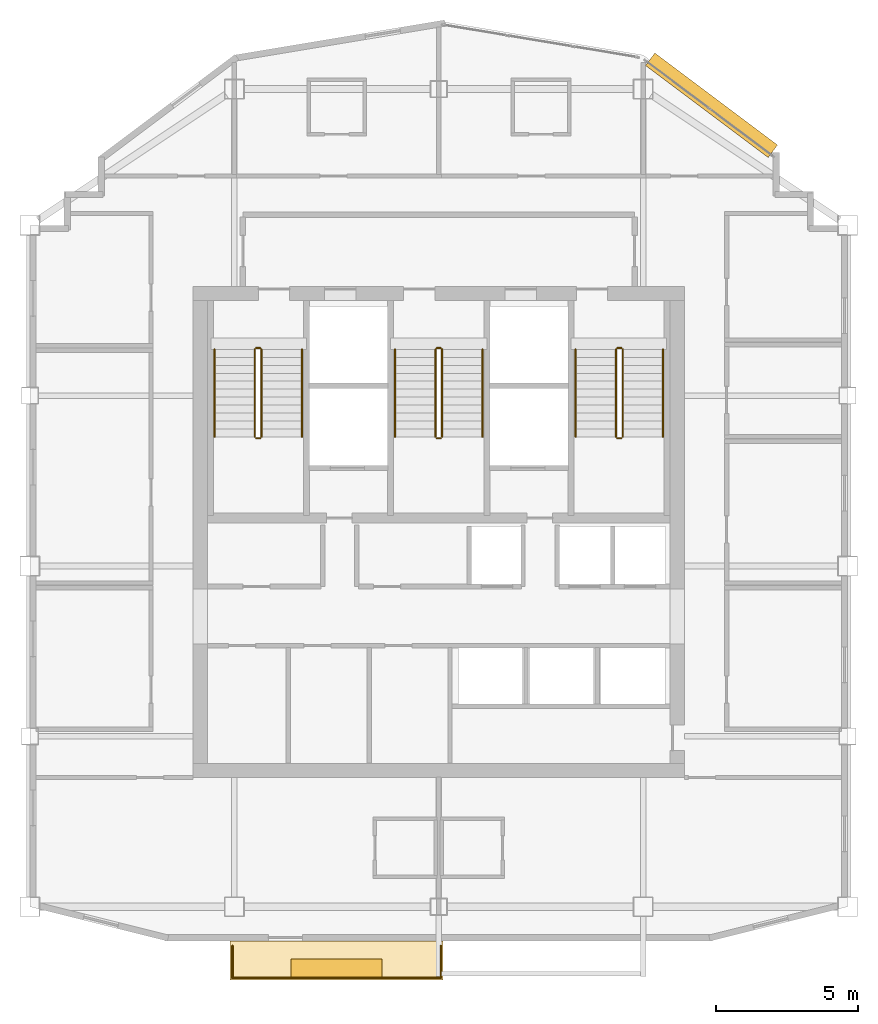
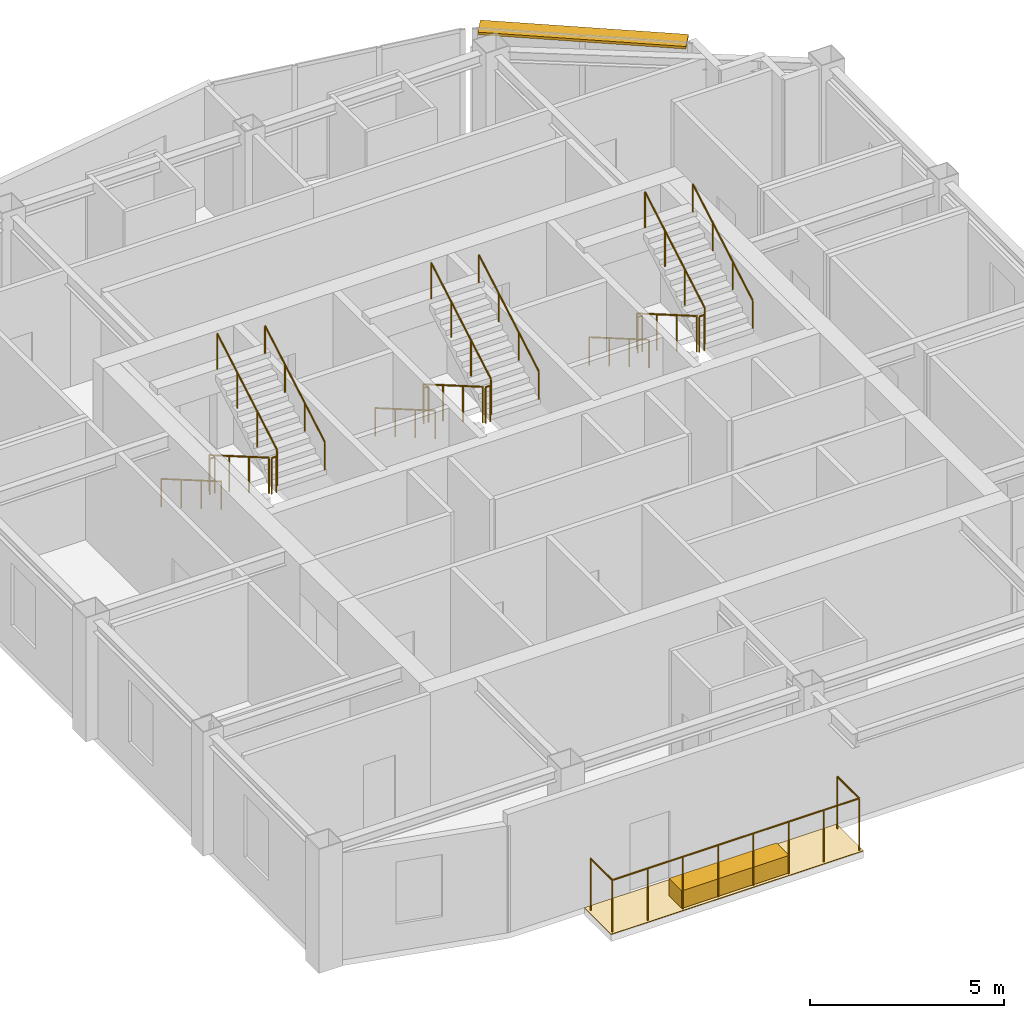
# One storey, part 9 of 9: 20 railings, 2 coverings, 1 shading device.
"""IFC4 building model written with IfcOpenShell, lengths in metres."""

from ifc_helpers import new_model, si_unit, direction, frame, origin, origin_2d, place, context, subcontext, project, spatial, polyline, rectangle, circle, outline, extrude, material, layer, layer_set, type_object, element, save


model = new_model("IFC4")

# Units and contexts
model_context = context("Model", 3, precision=1e-05, world=origin(), true_north=direction((0.0, 1.0)))
body_context = subcontext(model_context, "Body", "Model", "MODEL_VIEW")
ifc_project = project(units=[si_unit("LENGTHUNIT", "METRE"), si_unit("AREAUNIT", "SQUARE_METRE"), si_unit("VOLUMEUNIT", "CUBIC_METRE"), si_unit("PLANEANGLEUNIT", "RADIAN"), si_unit("MASSUNIT", "GRAM", prefix="KILO")], contexts=[model_context])

# Site, building, storey
site_placement = place(None, origin())
site = spatial("IfcSite", under=ifc_project, at=site_placement, CompositionType="ELEMENT")
building_placement = place(site_placement, origin())
building = spatial("IfcBuilding", under=site, at=building_placement, Name="Haolan Belvedere Tower", CompositionType="ELEMENT")
storey_placement = place(building_placement, frame((0.0, 0.0, 290.0)))
storey = spatial("IfcBuildingStorey", under=building, at=storey_placement, Name="L73", CompositionType="ELEMENT", Elevation=290.0)

# Coverings
ifc_material_1 = material(Name="Engineered lightweight planted garden soil substrate", Category="masonry")
ifc_layer_1 = layer(ifc_material_1, 0.550048828125, Name="Engineered lightweight planted garden soil substrate")
ifc_layer_set_1 = layer_set([ifc_layer_1], Name="Engineered lightweight planted garden soil substrate")
covering_type_1 = type_object("IfcCoveringType", Name="COV-PLANT-550", PredefinedType="MEMBRANE", material=ifc_layer_set_1)
covering_1_placement = place(storey_placement, frame((34.800048828125, 19.43994140625, 0.0), z_axis=(0.0, 0.0, 1.0), x_axis=(1.0, 0.0, 0.0)))
element("IfcCovering", 1, at=covering_1_placement, inside=storey, type_object=covering_type_1, Name="L73 structural tree balcony PLANTER box 1", PredefinedType="MEMBRANE", context=body_context, shape_type="SweptSolid", body=[
    extrude(rectangle(XDim=3.199951171875, YDim=0.64990234375, at=origin_2d()), origin(), (0.0, 0.0, 1.0), 0.550048828125),
])
ifc_material_2 = material(Name="Elastomeric waterproof roofing membrane and stone pavers", Category="masonry")
ifc_layer_2 = layer(ifc_material_2, 0.02001953125, Name="Elastomeric waterproof roofing membrane and stone pavers")
ifc_layer_set_2 = layer_set([ifc_layer_2], Name="Elastomeric waterproof roofing membrane and stone pavers")
covering_type_2 = type_object("IfcCoveringType", Name="COV-ROOF-20", PredefinedType="ROOFING", material=ifc_layer_set_2)
covering_2_placement = place(storey_placement, frame((0.0, 0.0, -0.02001953125)))
element("IfcCovering", 2, at=covering_2_placement, inside=storey, type_object=covering_type_2, Name="L73 tree-balcony waterproof membrane 1", PredefinedType="ROOFING", context=body_context, shape_type="SweptSolid", body=[
    extrude(outline(polyline([(31.050048828125, 19.02001953125), (38.550048828125, 19.02001953125), (38.550048828125, 20.39990234375), (31.050048828125, 20.39990234375), (31.050048828125, 19.02001953125)])), origin(), (0.0, 0.0, 1.0), 0.02001953125),
])

# Railings
ifc_material_3 = material(Name="Brushed stainless steel 304", Category="steel")
railing_type_1 = type_object("IfcRailingType", Name="RL-STAIR-GRD-1150", PredefinedType="GUARDRAIL", material=ifc_material_3)
railing_1_placement = place(storey_placement, frame((31.919921875, 41.22998046875, 0.16259765625)))
element("IfcRailing", 3, at=railing_1_placement, inside=storey, type_object=railing_type_1, Name="L73 ST1 stair guard 1", PredefinedType="GUARDRAIL", context=body_context, shape_type="SweptSolid", body=[
    extrude(circle(Radius=0.02392578125, at=origin_2d()), frame((0.0, 0.0, 1.1259765625), z_axis=(0.0, -0.864920483161, 0.501908913857), x_axis=(1.0, 0.0, 0.0)), (0.0, 0.0, 1.0), 3.56103515625),
    extrude(circle(Radius=0.02099609375, at=origin_2d()), origin(), (0.0, 0.0, 1.0), 1.101806640625),
    extrude(circle(Radius=0.02099609375, at=origin_2d()), frame((0.0, -1.026611328125, 0.595703125)), (0.0, 0.0, 1.0), 1.101806640625),
    extrude(circle(Radius=0.02099609375, at=origin_2d()), frame((0.0, -2.053466796875, 1.191650390625)), (0.0, 0.0, 1.0), 1.101806640625),
    extrude(circle(Radius=0.02099609375, at=origin_2d()), frame((0.0, -3.080078125, 1.787353515625)), (0.0, 0.0, 1.0), 1.101806640625),
])
railing_2_placement = place(storey_placement, frame((31.969970703125, 38.10009765625, 1.949951171875)))
element("IfcRailing", 4, at=railing_2_placement, inside=storey, type_object=railing_type_1, Name="L73 ST1 stair guard 2", PredefinedType="GUARDRAIL", context=body_context, shape_type="SweptSolid", body=[
    extrude(circle(Radius=0.02392578125, at=origin_2d()), frame((0.0, 0.0, 1.1259765625), z_axis=(1.0, 0.0, 0.0), x_axis=(0.0, 1.0, 0.0)), (0.0, 0.0, 1.0), 0.14013671875),
    extrude(circle(Radius=0.02099609375, at=origin_2d()), origin(), (0.0, 0.0, 1.0), 1.101806640625),
    extrude(circle(Radius=0.02099609375, at=origin_2d()), frame((0.14013671875, 0.0, 0.0)), (0.0, 0.0, 1.0), 1.101806640625),
])
railing_3_placement = place(storey_placement, frame((32.159912109375, 38.14990234375, 2.112548828125)))
element("IfcRailing", 5, at=railing_3_placement, inside=storey, type_object=railing_type_1, Name="L73 ST1 stair guard 3", PredefinedType="GUARDRAIL", context=body_context, shape_type="SweptSolid", body=[
    extrude(circle(Radius=0.02392578125, at=origin_2d()), frame((0.0, 0.0, 1.1259765625), z_axis=(0.0, 0.864920483161, 0.501908913857), x_axis=(-1.0, 0.0, 0.0)), (0.0, 0.0, 1.0), 3.56103515625),
    extrude(circle(Radius=0.02099609375, at=origin_2d()), origin(), (0.0, 0.0, 1.0), 1.101806640625),
    extrude(circle(Radius=0.02099609375, at=origin_2d()), frame((0.0, 1.026611328125, 0.595703125)), (0.0, 0.0, 1.0), 1.101806640625),
    extrude(circle(Radius=0.02099609375, at=origin_2d()), frame((0.0, 2.053466796875, 1.191650390625)), (0.0, 0.0, 1.0), 1.101806640625),
    extrude(circle(Radius=0.02099609375, at=origin_2d()), frame((0.0, 3.080078125, 1.787353515625)), (0.0, 0.0, 1.0), 1.101806640625),
])
railing_4_placement = place(storey_placement, frame((31.969970703125, 41.280029296875, 0.0)))
element("IfcRailing", 6, at=railing_4_placement, inside=storey, type_object=railing_type_1, Name="L73 ST1 stair guard 4", PredefinedType="GUARDRAIL", context=body_context, shape_type="SweptSolid", body=[
    extrude(circle(Radius=0.02392578125, at=origin_2d()), frame((0.0, 0.0, 1.1259765625), z_axis=(1.0, 0.0, 0.0), x_axis=(0.0, 1.0, 0.0)), (0.0, 0.0, 1.0), 0.14013671875),
    extrude(circle(Radius=0.02099609375, at=origin_2d()), origin(), (0.0, 0.0, 1.0), 1.101806640625),
    extrude(circle(Radius=0.02099609375, at=origin_2d()), frame((0.14013671875, 0.0, 0.0)), (0.0, 0.0, 1.0), 1.101806640625),
])
railing_5_placement = place(storey_placement, frame((38.280029296875, 41.22998046875, 0.16259765625)))
element("IfcRailing", 7, at=railing_5_placement, inside=storey, type_object=railing_type_1, Name="L73 ST3 stair guard 1", PredefinedType="GUARDRAIL", context=body_context, shape_type="SweptSolid", body=[
    extrude(circle(Radius=0.02392578125, at=origin_2d()), frame((0.0, 0.0, 1.1259765625), z_axis=(0.0, -0.864920483161, 0.501908913857), x_axis=(1.0, 0.0, 0.0)), (0.0, 0.0, 1.0), 3.56103515625),
    extrude(circle(Radius=0.02099609375, at=origin_2d()), origin(), (0.0, 0.0, 1.0), 1.101806640625),
    extrude(circle(Radius=0.02099609375, at=origin_2d()), frame((0.0, -1.026611328125, 0.595703125)), (0.0, 0.0, 1.0), 1.101806640625),
    extrude(circle(Radius=0.02099609375, at=origin_2d()), frame((0.0, -2.053466796875, 1.191650390625)), (0.0, 0.0, 1.0), 1.101806640625),
    extrude(circle(Radius=0.02099609375, at=origin_2d()), frame((0.0, -3.080078125, 1.787353515625)), (0.0, 0.0, 1.0), 1.101806640625),
])
railing_6_placement = place(storey_placement, frame((38.330078125, 38.10009765625, 1.949951171875)))
element("IfcRailing", 8, at=railing_6_placement, inside=storey, type_object=railing_type_1, Name="L73 ST3 stair guard 2", PredefinedType="GUARDRAIL", context=body_context, shape_type="SweptSolid", body=[
    extrude(circle(Radius=0.02392578125, at=origin_2d()), frame((0.0, 0.0, 1.1259765625), z_axis=(1.0, 0.0, 0.0), x_axis=(0.0, 1.0, 0.0)), (0.0, 0.0, 1.0), 0.139892578125),
    extrude(circle(Radius=0.02099609375, at=origin_2d()), origin(), (0.0, 0.0, 1.0), 1.101806640625),
    extrude(circle(Radius=0.02099609375, at=origin_2d()), frame((0.139892578125, 0.0, 0.0)), (0.0, 0.0, 1.0), 1.101806640625),
])
railing_7_placement = place(storey_placement, frame((38.52001953125, 38.14990234375, 2.112548828125)))
element("IfcRailing", 9, at=railing_7_placement, inside=storey, type_object=railing_type_1, Name="L73 ST3 stair guard 3", PredefinedType="GUARDRAIL", context=body_context, shape_type="SweptSolid", body=[
    extrude(circle(Radius=0.02392578125, at=origin_2d()), frame((0.0, 0.0, 1.1259765625), z_axis=(0.0, 0.864920483161, 0.501908913857), x_axis=(-1.0, 0.0, 0.0)), (0.0, 0.0, 1.0), 3.56103515625),
    extrude(circle(Radius=0.02099609375, at=origin_2d()), origin(), (0.0, 0.0, 1.0), 1.101806640625),
    extrude(circle(Radius=0.02099609375, at=origin_2d()), frame((0.0, 1.026611328125, 0.595703125)), (0.0, 0.0, 1.0), 1.101806640625),
    extrude(circle(Radius=0.02099609375, at=origin_2d()), frame((0.0, 2.053466796875, 1.191650390625)), (0.0, 0.0, 1.0), 1.101806640625),
    extrude(circle(Radius=0.02099609375, at=origin_2d()), frame((0.0, 3.080078125, 1.787353515625)), (0.0, 0.0, 1.0), 1.101806640625),
])
railing_8_placement = place(storey_placement, frame((38.330078125, 41.280029296875, 0.0)))
element("IfcRailing", 10, at=railing_8_placement, inside=storey, type_object=railing_type_1, Name="L73 ST3 stair guard 4", PredefinedType="GUARDRAIL", context=body_context, shape_type="SweptSolid", body=[
    extrude(circle(Radius=0.02392578125, at=origin_2d()), frame((0.0, 0.0, 1.1259765625), z_axis=(1.0, 0.0, 0.0), x_axis=(0.0, 1.0, 0.0)), (0.0, 0.0, 1.0), 0.139892578125),
    extrude(circle(Radius=0.02099609375, at=origin_2d()), origin(), (0.0, 0.0, 1.0), 1.101806640625),
    extrude(circle(Radius=0.02099609375, at=origin_2d()), frame((0.139892578125, 0.0, 0.0)), (0.0, 0.0, 1.0), 1.101806640625),
])
railing_9_placement = place(storey_placement, frame((44.639892578125, 41.22998046875, 0.16259765625)))
element("IfcRailing", 11, at=railing_9_placement, inside=storey, type_object=railing_type_1, Name="L73 ST2 stair guard 1", PredefinedType="GUARDRAIL", context=body_context, shape_type="SweptSolid", body=[
    extrude(circle(Radius=0.02392578125, at=origin_2d()), frame((0.0, 0.0, 1.1259765625), z_axis=(0.0, -0.864920483161, 0.501908913857), x_axis=(1.0, 0.0, 0.0)), (0.0, 0.0, 1.0), 3.56103515625),
    extrude(circle(Radius=0.02099609375, at=origin_2d()), origin(), (0.0, 0.0, 1.0), 1.101806640625),
    extrude(circle(Radius=0.02099609375, at=origin_2d()), frame((0.0, -1.026611328125, 0.595703125)), (0.0, 0.0, 1.0), 1.101806640625),
    extrude(circle(Radius=0.02099609375, at=origin_2d()), frame((0.0, -2.053466796875, 1.191650390625)), (0.0, 0.0, 1.0), 1.101806640625),
    extrude(circle(Radius=0.02099609375, at=origin_2d()), frame((0.0, -3.080078125, 1.787353515625)), (0.0, 0.0, 1.0), 1.101806640625),
])
railing_10_placement = place(storey_placement, frame((44.68994140625, 38.10009765625, 1.949951171875)))
element("IfcRailing", 12, at=railing_10_placement, inside=storey, type_object=railing_type_1, Name="L73 ST2 stair guard 2", PredefinedType="GUARDRAIL", context=body_context, shape_type="SweptSolid", body=[
    extrude(circle(Radius=0.02392578125, at=origin_2d()), frame((0.0, 0.0, 1.1259765625), z_axis=(1.0, 0.0, 0.0), x_axis=(0.0, 1.0, 0.0)), (0.0, 0.0, 1.0), 0.14013671875),
    extrude(circle(Radius=0.02099609375, at=origin_2d()), origin(), (0.0, 0.0, 1.0), 1.101806640625),
    extrude(circle(Radius=0.02099609375, at=origin_2d()), frame((0.14013671875, 0.0, 0.0)), (0.0, 0.0, 1.0), 1.101806640625),
])
railing_11_placement = place(storey_placement, frame((44.8798828125, 38.14990234375, 2.112548828125)))
element("IfcRailing", 13, at=railing_11_placement, inside=storey, type_object=railing_type_1, Name="L73 ST2 stair guard 3", PredefinedType="GUARDRAIL", context=body_context, shape_type="SweptSolid", body=[
    extrude(circle(Radius=0.02392578125, at=origin_2d()), frame((0.0, 0.0, 1.1259765625), z_axis=(0.0, 0.864920483161, 0.501908913857), x_axis=(-1.0, 0.0, 0.0)), (0.0, 0.0, 1.0), 3.56103515625),
    extrude(circle(Radius=0.02099609375, at=origin_2d()), origin(), (0.0, 0.0, 1.0), 1.101806640625),
    extrude(circle(Radius=0.02099609375, at=origin_2d()), frame((0.0, 1.026611328125, 0.595703125)), (0.0, 0.0, 1.0), 1.101806640625),
    extrude(circle(Radius=0.02099609375, at=origin_2d()), frame((0.0, 2.053466796875, 1.191650390625)), (0.0, 0.0, 1.0), 1.101806640625),
    extrude(circle(Radius=0.02099609375, at=origin_2d()), frame((0.0, 3.080078125, 1.787353515625)), (0.0, 0.0, 1.0), 1.101806640625),
])
railing_12_placement = place(storey_placement, frame((44.68994140625, 41.280029296875, 0.0)))
element("IfcRailing", 14, at=railing_12_placement, inside=storey, type_object=railing_type_1, Name="L73 ST2 stair guard 4", PredefinedType="GUARDRAIL", context=body_context, shape_type="SweptSolid", body=[
    extrude(circle(Radius=0.02392578125, at=origin_2d()), frame((0.0, 0.0, 1.1259765625), z_axis=(1.0, 0.0, 0.0), x_axis=(0.0, 1.0, 0.0)), (0.0, 0.0, 1.0), 0.14013671875),
    extrude(circle(Radius=0.02099609375, at=origin_2d()), origin(), (0.0, 0.0, 1.0), 1.101806640625),
    extrude(circle(Radius=0.02099609375, at=origin_2d()), frame((0.14013671875, 0.0, 0.0)), (0.0, 0.0, 1.0), 1.101806640625),
])
railing_type_2 = type_object("IfcRailingType", Name="RL-STAIR-HND-900", PredefinedType="HANDRAIL", material=ifc_material_3)
railing_13_placement = place(storey_placement, frame((30.5, 41.22998046875, 0.16259765625)))
element("IfcRailing", 15, at=railing_13_placement, inside=storey, type_object=railing_type_2, Name="L73 ST1 stair handrail 1", PredefinedType="HANDRAIL", context=body_context, shape_type="SweptSolid", body=[
    extrude(circle(Radius=0.02392578125, at=origin_2d()), frame((0.0, 0.0, 0.8759765625), z_axis=(0.0, -0.864920483161, 0.501908913857), x_axis=(1.0, 0.0, 0.0)), (0.0, 0.0, 1.0), 3.56103515625),
    extrude(circle(Radius=0.02099609375, at=origin_2d()), origin(), (0.0, 0.0, 1.0), 0.851806640625),
    extrude(circle(Radius=0.02099609375, at=origin_2d()), frame((0.0, -1.026611328125, 0.595703125)), (0.0, 0.0, 1.0), 0.851806640625),
    extrude(circle(Radius=0.02099609375, at=origin_2d()), frame((0.0, -2.053466796875, 1.191650390625)), (0.0, 0.0, 1.0), 0.851806640625),
    extrude(circle(Radius=0.02099609375, at=origin_2d()), frame((0.0, -3.080078125, 1.787353515625)), (0.0, 0.0, 1.0), 0.851806640625),
])
railing_14_placement = place(storey_placement, frame((33.580078125, 38.14990234375, 2.112548828125)))
element("IfcRailing", 16, at=railing_14_placement, inside=storey, type_object=railing_type_2, Name="L73 ST1 stair handrail 2", PredefinedType="HANDRAIL", context=body_context, shape_type="SweptSolid", body=[
    extrude(circle(Radius=0.02392578125, at=origin_2d()), frame((0.0, 0.0, 0.8759765625), z_axis=(0.0, 0.864920483161, 0.501908913857), x_axis=(-1.0, 0.0, 0.0)), (0.0, 0.0, 1.0), 3.56103515625),
    extrude(circle(Radius=0.02099609375, at=origin_2d()), origin(), (0.0, 0.0, 1.0), 0.851806640625),
    extrude(circle(Radius=0.02099609375, at=origin_2d()), frame((0.0, 1.026611328125, 0.595703125)), (0.0, 0.0, 1.0), 0.851806640625),
    extrude(circle(Radius=0.02099609375, at=origin_2d()), frame((0.0, 2.053466796875, 1.191650390625)), (0.0, 0.0, 1.0), 0.851806640625),
    extrude(circle(Radius=0.02099609375, at=origin_2d()), frame((0.0, 3.080078125, 1.787353515625)), (0.0, 0.0, 1.0), 0.851806640625),
])
railing_15_placement = place(storey_placement, frame((36.860107421875, 41.22998046875, 0.16259765625)))
element("IfcRailing", 17, at=railing_15_placement, inside=storey, type_object=railing_type_2, Name="L73 ST3 stair handrail 1", PredefinedType="HANDRAIL", context=body_context, shape_type="SweptSolid", body=[
    extrude(circle(Radius=0.02392578125, at=origin_2d()), frame((0.0, 0.0, 0.8759765625), z_axis=(0.0, -0.864920483161, 0.501908913857), x_axis=(1.0, 0.0, 0.0)), (0.0, 0.0, 1.0), 3.56103515625),
    extrude(circle(Radius=0.02099609375, at=origin_2d()), origin(), (0.0, 0.0, 1.0), 0.851806640625),
    extrude(circle(Radius=0.02099609375, at=origin_2d()), frame((0.0, -1.026611328125, 0.595703125)), (0.0, 0.0, 1.0), 0.851806640625),
    extrude(circle(Radius=0.02099609375, at=origin_2d()), frame((0.0, -2.053466796875, 1.191650390625)), (0.0, 0.0, 1.0), 0.851806640625),
    extrude(circle(Radius=0.02099609375, at=origin_2d()), frame((0.0, -3.080078125, 1.787353515625)), (0.0, 0.0, 1.0), 0.851806640625),
])
railing_16_placement = place(storey_placement, frame((39.93994140625, 38.14990234375, 2.112548828125)))
element("IfcRailing", 18, at=railing_16_placement, inside=storey, type_object=railing_type_2, Name="L73 ST3 stair handrail 2", PredefinedType="HANDRAIL", context=body_context, shape_type="SweptSolid", body=[
    extrude(circle(Radius=0.02392578125, at=origin_2d()), frame((0.0, 0.0, 0.8759765625), z_axis=(0.0, 0.864920483161, 0.501908913857), x_axis=(-1.0, 0.0, 0.0)), (0.0, 0.0, 1.0), 3.56103515625),
    extrude(circle(Radius=0.02099609375, at=origin_2d()), origin(), (0.0, 0.0, 1.0), 0.851806640625),
    extrude(circle(Radius=0.02099609375, at=origin_2d()), frame((0.0, 1.026611328125, 0.595703125)), (0.0, 0.0, 1.0), 0.851806640625),
    extrude(circle(Radius=0.02099609375, at=origin_2d()), frame((0.0, 2.053466796875, 1.191650390625)), (0.0, 0.0, 1.0), 0.851806640625),
    extrude(circle(Radius=0.02099609375, at=origin_2d()), frame((0.0, 3.080078125, 1.787353515625)), (0.0, 0.0, 1.0), 0.851806640625),
])
railing_17_placement = place(storey_placement, frame((43.219970703125, 41.22998046875, 0.16259765625)))
element("IfcRailing", 19, at=railing_17_placement, inside=storey, type_object=railing_type_2, Name="L73 ST2 stair handrail 1", PredefinedType="HANDRAIL", context=body_context, shape_type="SweptSolid", body=[
    extrude(circle(Radius=0.02392578125, at=origin_2d()), frame((0.0, 0.0, 0.8759765625), z_axis=(0.0, -0.864920483161, 0.501908913857), x_axis=(1.0, 0.0, 0.0)), (0.0, 0.0, 1.0), 3.56103515625),
    extrude(circle(Radius=0.02099609375, at=origin_2d()), origin(), (0.0, 0.0, 1.0), 0.851806640625),
    extrude(circle(Radius=0.02099609375, at=origin_2d()), frame((0.0, -1.026611328125, 0.595703125)), (0.0, 0.0, 1.0), 0.851806640625),
    extrude(circle(Radius=0.02099609375, at=origin_2d()), frame((0.0, -2.053466796875, 1.191650390625)), (0.0, 0.0, 1.0), 0.851806640625),
    extrude(circle(Radius=0.02099609375, at=origin_2d()), frame((0.0, -3.080078125, 1.787353515625)), (0.0, 0.0, 1.0), 0.851806640625),
])
railing_18_placement = place(storey_placement, frame((46.300048828125, 38.14990234375, 2.112548828125)))
element("IfcRailing", 20, at=railing_18_placement, inside=storey, type_object=railing_type_2, Name="L73 ST2 stair handrail 2", PredefinedType="HANDRAIL", context=body_context, shape_type="SweptSolid", body=[
    extrude(circle(Radius=0.02392578125, at=origin_2d()), frame((0.0, 0.0, 0.8759765625), z_axis=(0.0, 0.864920483161, 0.501908913857), x_axis=(-1.0, 0.0, 0.0)), (0.0, 0.0, 1.0), 3.56103515625),
    extrude(circle(Radius=0.02099609375, at=origin_2d()), origin(), (0.0, 0.0, 1.0), 0.851806640625),
    extrude(circle(Radius=0.02099609375, at=origin_2d()), frame((0.0, 1.026611328125, 0.595703125)), (0.0, 0.0, 1.0), 0.851806640625),
    extrude(circle(Radius=0.02099609375, at=origin_2d()), frame((0.0, 2.053466796875, 1.191650390625)), (0.0, 0.0, 1.0), 0.851806640625),
    extrude(circle(Radius=0.02099609375, at=origin_2d()), frame((0.0, 3.080078125, 1.787353515625)), (0.0, 0.0, 1.0), 0.851806640625),
])
ifc_material_4 = material(Name="Anodised aluminium and laminated glass balustrade", Category="aluminium")
railing_type_3 = type_object("IfcRailingType", Name="RL-TER-BAL-1150", PredefinedType="BALUSTRADE", material=ifc_material_4)
railing_19_placement = place(storey_placement, frame((31.1298828125, 19.10009765625, 0.0)))
element("IfcRailing", 21, at=railing_19_placement, inside=storey, type_object=railing_type_3, Name="L73 outdoor perimeter balustrade BAL-L73-1-1", PredefinedType="BALUSTRADE", context=body_context, shape_type="SweptSolid", body=[
    extrude(circle(Radius=0.02392578125, at=origin_2d()), frame((0.0, 0.0, 1.6259765625), z_axis=(0.0, 1.0, 0.0), x_axis=(-1.0, 0.0, 0.0)), (0.0, 0.0, 1.0), 1.119873046875),
    extrude(circle(Radius=0.02099609375, at=origin_2d()), origin(), (0.0, 0.0, 1.0), 1.601806640625),
    extrude(circle(Radius=0.02099609375, at=origin_2d()), frame((0.0, 1.119873046875, 0.0)), (0.0, 0.0, 1.0), 1.601806640625),
])
railing_20_placement = place(storey_placement, frame((38.469970703125, 20.219970703125, 0.0)))
element("IfcRailing", 22, at=railing_20_placement, inside=storey, type_object=railing_type_3, Name="L73 outdoor perimeter balustrade BAL-L73-1-2", PredefinedType="BALUSTRADE", context=body_context, shape_type="SweptSolid", body=[
    extrude(circle(Radius=0.02392578125, at=origin_2d()), frame((0.0, 0.0, 1.6259765625), z_axis=(0.0, -1.0, 0.0), x_axis=(1.0, 0.0, 0.0)), (0.0, 0.0, 1.0), 1.119873046875),
    extrude(circle(Radius=0.02392578125, at=origin_2d()), frame((0.0, -1.119873046875, 1.6259765625), z_axis=(-1.0, 0.0, 0.0), x_axis=(0.0, -1.0, 0.0)), (0.0, 0.0, 1.0), 7.340087890625),
    extrude(circle(Radius=0.02099609375, at=origin_2d()), origin(), (0.0, 0.0, 1.0), 1.601806640625),
    extrude(circle(Radius=0.02099609375, at=origin_2d()), frame((0.0, -1.119873046875, 0.0)), (0.0, 0.0, 1.0), 1.601806640625),
    extrude(circle(Radius=0.02099609375, at=origin_2d()), frame((-1.048583984375, -1.119873046875, 0.0)), (0.0, 0.0, 1.0), 1.601806640625),
    extrude(circle(Radius=0.02099609375, at=origin_2d()), frame((-2.09716796875, -1.119873046875, 0.0)), (0.0, 0.0, 1.0), 1.601806640625),
    extrude(circle(Radius=0.02099609375, at=origin_2d()), frame((-3.145751953125, -1.119873046875, 0.0)), (0.0, 0.0, 1.0), 1.601806640625),
    extrude(circle(Radius=0.02099609375, at=origin_2d()), frame((-4.1943359375, -1.119873046875, 0.0)), (0.0, 0.0, 1.0), 1.601806640625),
    extrude(circle(Radius=0.02099609375, at=origin_2d()), frame((-5.242919921875, -1.119873046875, 0.0)), (0.0, 0.0, 1.0), 1.601806640625),
    extrude(circle(Radius=0.02099609375, at=origin_2d()), frame((-6.29150390625, -1.119873046875, 0.0)), (0.0, 0.0, 1.0), 1.601806640625),
    extrude(circle(Radius=0.02099609375, at=origin_2d()), frame((-7.340087890625, -1.119873046875, 0.0)), (0.0, 0.0, 1.0), 1.601806640625),
])

# Shading device
ifc_material_5 = material(Name="Anodised champagne-silver aluminium 6063-T6", Category="aluminium")
ifc_layer_3 = layer(ifc_material_5, 0.080078125, Name="Anodised champagne-silver aluminium 6063-T6")
ifc_layer_set_3 = layer_set([ifc_layer_3], Name="Anodised champagne-silver aluminium 6063-T6")
shading_device_type = type_object("IfcShadingDeviceType", Name="SHD-SUN-550", PredefinedType="USERDEFINED", material=ifc_layer_set_3)
shading_device_placement = place(storey_placement, frame((48.0068359375, 49.83251953125, 3.619873046875), z_axis=(0.0, 0.0, 1.0), x_axis=(-0.799998928149, 0.600001429133, 0.0)))
element("IfcShadingDevice", 23, at=shading_device_placement, inside=storey, type_object=shading_device_type, Name="L73 pale-metal horizontal SUNSHADE band 8.1", ObjectType="SUNSHADE", PredefinedType="USERDEFINED", context=body_context, shape_type="SweptSolid", body=[
    extrude(rectangle(XDim=5.398193359375, YDim=0.550048828125, at=origin_2d()), origin(), (0.0, 0.0, 1.0), 0.080078125),
])

save(model, "model.ifc")
